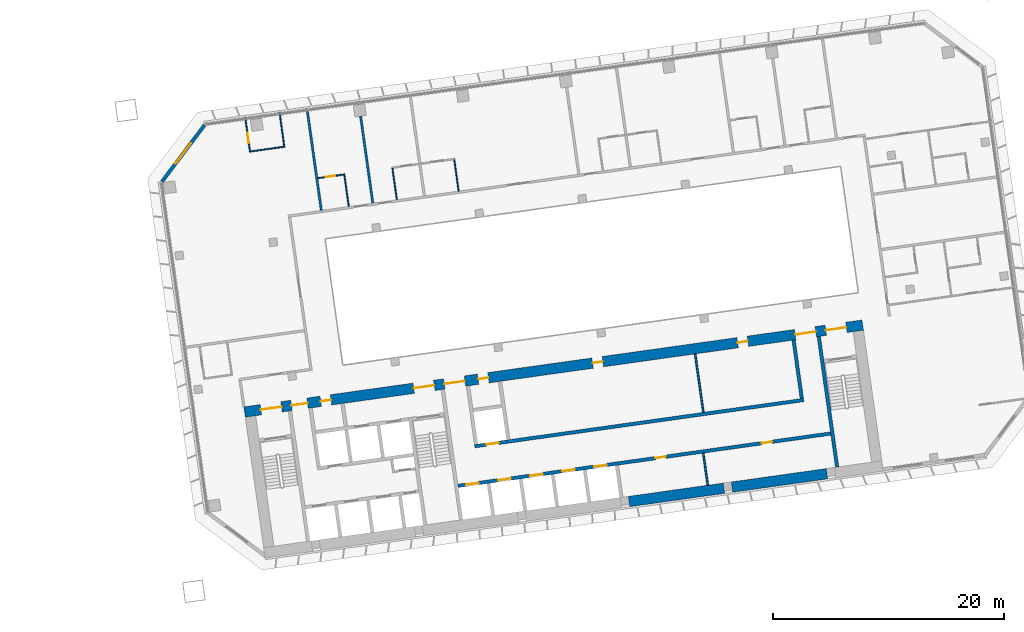
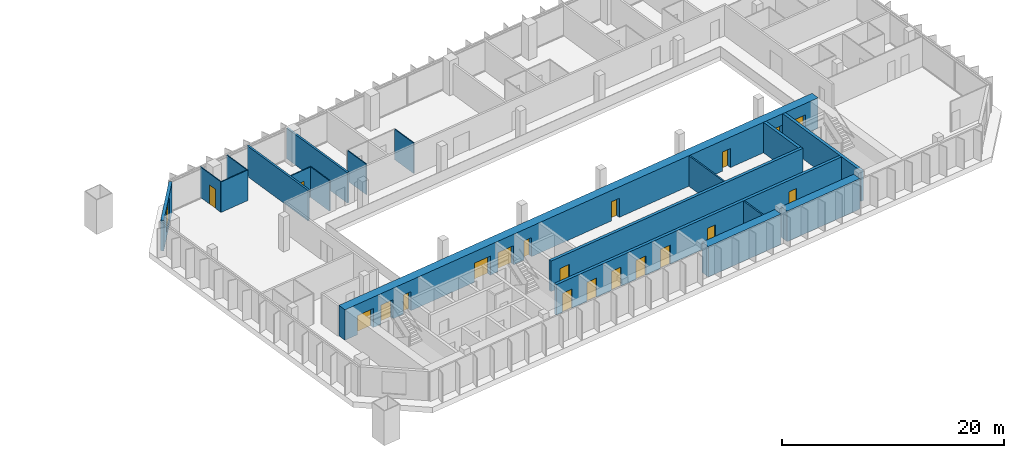
# One storey, part 19 of 24: 20 doors, 19 walls, 1 window, 21 openings.
"""IFC4 building model written with IfcOpenShell, lengths in metres."""

from ifc_helpers import new_model, si_unit, direction, frame, frame_2d, origin, place, context, subcontext, project, spatial, rectangle, extrude, material, layer, layer_set, type_object, element, fill, save


model = new_model("IFC4")

# Units and contexts
model_context = context("Model", 3, precision=1e-05, world=origin(), true_north=direction((0.0, 1.0)))
body_context = subcontext(model_context, "Body", "Model", "MODEL_VIEW")
ifc_project = project(units=[si_unit("LENGTHUNIT", "METRE"), si_unit("AREAUNIT", "SQUARE_METRE"), si_unit("VOLUMEUNIT", "CUBIC_METRE"), si_unit("PLANEANGLEUNIT", "RADIAN"), si_unit("MASSUNIT", "GRAM", prefix="KILO")], contexts=[model_context])

# Site, building, storey
site_placement = place(None, origin())
site = spatial("IfcSite", under=ifc_project, at=site_placement, CompositionType="ELEMENT")
building_placement = place(site_placement, origin())
building = spatial("IfcBuilding", under=site, at=building_placement, Name="Mirante Cascada Hotel Towers", CompositionType="ELEMENT")
storey_placement = place(building_placement, frame((0.0, 0.0, 77.5)))
storey = spatial("IfcBuildingStorey", under=building, at=storey_placement, Name="L16", CompositionType="ELEMENT", Elevation=77.5)

# Walls
ifc_material_1 = material(Name="Fire-rated plasterboard on metal studs")
ifc_layer_1 = layer(ifc_material_1, 0.2)
ifc_layer_set_1 = layer_set([ifc_layer_1], Name="Compartment wall 200 EI 120")
wall_type_1 = type_object("IfcWallType", Name="Compartment wall 200 EI 120", PredefinedType="PARTITIONING", material=ifc_layer_set_1)
for number, where, z_axis, x_axis, name in (
    (1, (40.7243, 18.6939, 0.0), (0.0, 0.0, 1.0), (0.1391794, -0.9902672, 0.0), "Wall 2-L16-26"),
    (2, (45.1805, 19.3202, 0.0), (0.0, 0.0, 1.0), (0.1391794, -0.9902672, 0.0), "Wall 2-L16-28"),
):
    element("IfcWall", number, at=place(storey_placement, frame(where, z_axis=z_axis, x_axis=x_axis)), inside=storey, type_object=wall_type_1, Name=name, PredefinedType="PARTITIONING", context=body_context, shape_type="SweptSolid", body=[
        extrude(rectangle(XDim=8.9, YDim=0.2, at=frame_2d((4.45, 0.0))), origin(), (0.0, 0.0, 1.0), 3.35),
    ])
ifc_material_2 = material(Name="Masonry block", Category="masonry")
ifc_layer_2 = layer(ifc_material_2, 0.15)
ifc_layer_set_2 = layer_set([ifc_layer_2], Name="Core room partition 150 block EI 30")
wall_type_2 = type_object("IfcWallType", Name="Core room partition 150 block EI 30", PredefinedType="PARTITIONING", material=ifc_layer_set_2)
wall_1_placement = place(storey_placement, frame((75.3976, -13.8977, 0.0), z_axis=(0.0, 0.0, 1.0), x_axis=(-0.139141, 0.9902726, 0.0)))
element("IfcWall", 3, at=wall_1_placement, inside=storey, type_object=wall_type_2, Name="Core wall partition T2 L16 4", PredefinedType="PARTITIONING", context=body_context, shape_type="SweptSolid", body=[
    extrude(rectangle(XDim=2.8, YDim=0.15, at=frame_2d((1.4, 0.0))), origin(), (0.0, 0.0, 1.0), 3.35),
])
wall_2_placement = place(storey_placement, frame((75.016, -7.5894, 0.0), z_axis=(0.0, 0.0, 1.0), x_axis=(-0.1391755, 0.9902677, 0.0)))
element("IfcWall", 4, at=wall_2_placement, inside=storey, type_object=wall_type_2, Name="Core wall partition T2 L16 5", PredefinedType="PARTITIONING", context=body_context, shape_type="SweptSolid", body=[
    extrude(rectangle(XDim=5.1, YDim=0.15, at=frame_2d((2.55, 0.0))), origin(), (0.0, 0.0, 1.0), 3.35),
])

# Wall, opening, door
ifc_material_3 = material(Name="Plasterboard on metal studs")
ifc_layer_3 = layer(ifc_material_3, 0.1)
ifc_layer_set_3 = layer_set([ifc_layer_3], Name="Partition 100")
wall_type_3 = type_object("IfcWallType", Name="Partition 100", PredefinedType="PARTITIONING", material=ifc_layer_set_3)
wall_3_placement = place(storey_placement, frame((43.9004, 12.9804, 0.0), z_axis=(0.0, 0.0, 1.0), x_axis=(-0.9902643, -0.1391997, 0.0)))
wall_3 = element("IfcWall", 5, at=wall_3_placement, inside=storey, type_object=wall_type_3, Name="Wall 2-L16-14", PredefinedType="PARTITIONING", context=body_context, shape_type="SweptSolid", body=[
    extrude(rectangle(XDim=2.25, YDim=0.1, at=frame_2d((1.125, 0.0))), origin(), (0.0, 0.0, 1.0), 3.35),
])
opening_1_placement = place(wall_3_placement, frame((0.75, 0.0, 0.0)))
opening_1 = element("IfcOpeningElement", 6, at=opening_1_placement, cuts=wall_3, Name="Opening D2-L16-15", PredefinedType="OPENING", context=body_context, shape_type="SweptSolid", body=[
    extrude(rectangle(XDim=0.8, YDim=2.1, at=frame_2d((0.4, 1.05))), frame((0.0, 0.05, 0.0), z_axis=(0.0, -1.0, 0.0), x_axis=(1.0, 0.0, 0.0)), (0.0, 0.0, 1.0), 0.1),
])
ifc_material_4 = material(Name="Timber door leaf", Category="wood")
door_type_1 = type_object("IfcDoorType", Name="Bathroom door DG4 800x2100", OperationType="SINGLE_SWING_LEFT", PredefinedType="DOOR", material=ifc_material_4)
door_1_placement = place(opening_1_placement, frame((0.8, 0.0, 0.0), z_axis=(0.0, 0.0, 1.0), x_axis=(-1.0, 0.0, 0.0)))
door_1 = element("IfcDoor", 7, at=door_1_placement, inside=storey, type_object=door_type_1, Name="Door D2-L16-15", OperationType="SINGLE_SWING_RIGHT", OverallHeight=2.1, OverallWidth=0.8, PredefinedType="DOOR", context=body_context, shape_type="SweptSolid", body=[
    extrude(rectangle(XDim=0.8, YDim=2.1, at=frame_2d((0.4, 1.05))), frame((0.0, 0.025, 0.0), z_axis=(0.0, -1.0, 0.0), x_axis=(1.0, 0.0, 0.0)), (0.0, 0.0, 1.0), 0.05),
])
fill(opening_1, door_1)

# Wall
wall_4_placement = place(storey_placement, frame((35.7449, 14.9646, 0.0), z_axis=(0.0, 0.0, 1.0), x_axis=(0.9902651, 0.1391945, 0.0)))
element("IfcWall", 8, at=wall_4_placement, inside=storey, type_object=wall_type_3, Name="Wall 2-L16-19", PredefinedType="PARTITIONING", context=body_context, shape_type="SweptSolid", body=[
    extrude(rectangle(XDim=3.1, YDim=0.1, at=frame_2d((1.55, 0.0))), origin(), (0.0, 0.0, 1.0), 3.35),
])

# Wall, opening, door
wall_5_placement = place(storey_placement, frame((35.7874, 15.0211, 0.0), z_axis=(0.0, 0.0, 1.0), x_axis=(-0.1391525, 0.990271, 0.0)))
wall_5 = element("IfcWall", 9, at=wall_5_placement, inside=storey, type_object=wall_type_3, Name="Wall 2-L16-23", PredefinedType="PARTITIONING", context=body_context, shape_type="SweptSolid", body=[
    extrude(rectangle(XDim=2.95, YDim=0.1, at=frame_2d((1.475, 0.0))), origin(), (0.0, 0.0, 1.0), 3.35),
])
opening_2_placement = place(wall_5_placement, frame((0.7, 0.0, 0.0)))
opening_2 = element("IfcOpeningElement", 10, at=opening_2_placement, cuts=wall_5, Name="Opening D2-L16-23", PredefinedType="OPENING", context=body_context, shape_type="SweptSolid", body=[
    extrude(rectangle(XDim=0.9, YDim=2.1, at=frame_2d((0.45, 1.05))), frame((0.0, 0.05, 0.0), z_axis=(0.0, -1.0, 0.0), x_axis=(1.0, 0.0, 0.0)), (0.0, 0.0, 1.0), 0.1),
])
ifc_material_5 = material(Name="Timber door leaf", Category="wood")
door_type_2 = type_object("IfcDoorType", Name="Room door DG3 900x2100", OperationType="SINGLE_SWING_LEFT", PredefinedType="DOOR", material=ifc_material_5)
door_2_placement = place(opening_2_placement, origin())
door_2 = element("IfcDoor", 11, at=door_2_placement, inside=storey, type_object=door_type_2, Name="Door D2-L16-23", OperationType="SINGLE_SWING_LEFT", OverallHeight=2.1, OverallWidth=0.9, PredefinedType="DOOR", context=body_context, shape_type="SweptSolid", body=[
    extrude(rectangle(XDim=0.9, YDim=2.1, at=frame_2d((0.45, 1.05))), frame((0.0, 0.025, 0.0), z_axis=(0.0, -1.0, 0.0), x_axis=(1.0, 0.0, 0.0)), (0.0, 0.0, 1.0), 0.05),
])
fill(opening_2, door_2)

# Walls
wall_6_placement = place(storey_placement, frame((38.7582, 15.4386, 0.0), z_axis=(0.0, 0.0, 1.0), x_axis=(-0.1391525, 0.990271, 0.0)))
element("IfcWall", 12, at=wall_6_placement, inside=storey, type_object=wall_type_3, Name="Wall 2-L16-25", PredefinedType="PARTITIONING", context=body_context, shape_type="SweptSolid", body=[
    extrude(rectangle(XDim=2.95, YDim=0.1, at=frame_2d((1.475, 0.0))), origin(), (0.0, 0.0, 1.0), 3.35),
])
wall_7_placement = place(storey_placement, frame((44.3396, 10.2146, 0.0), z_axis=(0.0, 0.0, 1.0), x_axis=(-0.1391613, 0.9902697, 0.0)))
element("IfcWall", 13, at=wall_7_placement, inside=storey, type_object=wall_type_3, Name="Wall 2-L16-27", PredefinedType="PARTITIONING", context=body_context, shape_type="SweptSolid", body=[
    extrude(rectangle(XDim=2.8499, YDim=0.1, at=frame_2d((1.425, 0.0))), origin(), (0.0, 0.0, 1.0), 3.35),
])
wall_8_placement = place(storey_placement, frame((48.4987, 10.7991, 0.0), z_axis=(0.0, 0.0, 1.0), x_axis=(-0.1391657, 0.9902691, 0.0)))
element("IfcWall", 14, at=wall_8_placement, inside=storey, type_object=wall_type_3, Name="Wall 2-L16-29", PredefinedType="PARTITIONING", context=body_context, shape_type="SweptSolid", body=[
    extrude(rectangle(XDim=2.75, YDim=0.1, at=frame_2d((1.375, 0.0))), origin(), (0.0, 0.0, 1.0), 3.35),
])
wall_9_placement = place(storey_placement, frame((53.8462, 11.5506, 0.0), z_axis=(0.0, 0.0, 1.0), x_axis=(-0.1391607, 0.9902698, 0.0)))
element("IfcWall", 15, at=wall_9_placement, inside=storey, type_object=wall_type_3, Name="Wall 2-L16-31", PredefinedType="PARTITIONING", context=body_context, shape_type="SweptSolid", body=[
    extrude(rectangle(XDim=2.7501, YDim=0.1, at=frame_2d((1.3751, 0.0))), origin(), (0.0, 0.0, 1.0), 3.35),
])

# Wall, opening, window
ifc_material_6 = material(Name="Precast concrete C40/50", Category="concrete")
ifc_layer_4 = layer(ifc_material_6, 0.3)
ifc_layer_set_4 = layer_set([ifc_layer_4], Name="Precast concrete C40/50 cladding wall 300")
wall_type_4 = type_object("IfcWallType", Name="Precast concrete C40/50 cladding wall 300", PredefinedType="STANDARD", material=ifc_layer_set_4)
wall_10_placement = place(storey_placement, frame((31.857, 17.252, 0.0), z_axis=(0.0, 0.0, 1.0), x_axis=(-0.6018141, -0.7986362, 0.0)))
wall_10 = element("IfcWall", 16, at=wall_10_placement, inside=storey, type_object=wall_type_4, Name="Corner cladding wall T2 L16 front inner", PredefinedType="STANDARD", context=body_context, shape_type="SweptSolid", body=[
    extrude(rectangle(XDim=6.1157, YDim=0.3, at=frame_2d((3.0578, 0.0))), origin(), (0.0, 0.0, 1.0), 3.35),
])
opening_3_placement = place(wall_10_placement, frame((1.9578, 0.0, 0.6)))
opening_3 = element("IfcOpeningElement", 17, at=opening_3_placement, cuts=wall_10, Name="Opening W2-16-04", PredefinedType="OPENING", context=body_context, shape_type="SweptSolid", body=[
    extrude(rectangle(XDim=2.2, YDim=2.4, at=frame_2d((1.1, 1.2))), frame((0.0, 0.15, 0.0), z_axis=(0.0, -1.0, 0.0), x_axis=(1.0, 0.0, 0.0)), (0.0, 0.0, 1.0), 0.3),
])
ifc_material_7 = material(Name="Aluminium frame with clear double glazing", Category="aluminium")
window_type = type_object("IfcWindowType", Name="Corner suite window 2200x2400", PartitioningType="DOUBLE_PANEL_VERTICAL", PredefinedType="WINDOW", material=ifc_material_7)
window_placement = place(opening_3_placement, origin())
window = element("IfcWindow", 18, at=window_placement, inside=storey, type_object=window_type, Name="Window W2-16-04", OverallHeight=2.4, OverallWidth=2.2, PartitioningType="SINGLE_PANEL", PredefinedType="WINDOW", context=body_context, shape_type="SweptSolid", body=[
    extrude(rectangle(XDim=2.2, YDim=2.4, at=frame_2d((1.1, 1.2))), frame((0.0, 0.03, 0.0), z_axis=(0.0, -1.0, 0.0), x_axis=(1.0, 0.0, 0.0)), (0.0, 0.0, 1.0), 0.06),
])
fill(opening_3, window)

# Wall
ifc_material_8 = material(Name="Concrete C50/60", Category="concrete")
ifc_layer_5 = layer(ifc_material_8, 0.3)
ifc_layer_set_5 = layer_set([ifc_layer_5], Name="RC core wall 300 C50/60")
wall_type_5 = type_object("IfcWallType", Name="RC core wall 300 C50/60", PredefinedType="SHEAR", material=ifc_layer_set_5)
wall_11_placement = place(storey_placement, frame((86.5877, -12.325, 0.0), z_axis=(0.0, 0.0, 1.0), x_axis=(-0.1391749, 0.9902678, 0.0)))
element("IfcWall", 19, at=wall_11_placement, inside=storey, type_object=wall_type_5, Name="Core wall T2:L16:8", PredefinedType="SHEAR", context=body_context, shape_type="SweptSolid", body=[
    extrude(rectangle(XDim=11.4, YDim=0.3, at=frame_2d((5.7, 0.0))), origin(), (0.0, 0.0, 1.0), 3.35),
])

# Wall, openings, doors
wall_12_placement = place(storey_placement, frame((53.7953, -13.9547, 0.0), z_axis=(0.0, 0.0, 1.0), x_axis=(0.990268, 0.1391733, 0.0)))
wall_12 = element("IfcWall", 20, at=wall_12_placement, inside=storey, type_object=wall_type_5, Name="Core wall T2:L16:24", PredefinedType="SHEAR", context=body_context, shape_type="SweptSolid", body=[
    extrude(rectangle(XDim=32.5501, YDim=0.3, at=frame_2d((16.275, 0.0))), origin(), (0.0, 0.0, 1.0), 3.35),
])
opening_4_placement = place(wall_12_placement, frame((0.7, 0.0, 0.0)))
opening_4 = element("IfcOpeningElement", 21, at=opening_4_placement, cuts=wall_12, Name="Opening LD", PredefinedType="OPENING", context=body_context, shape_type="SweptSolid", body=[
    extrude(rectangle(XDim=1.1, YDim=2.1, at=frame_2d((0.55, 1.05))), frame((0.0, 0.15, 0.0), z_axis=(0.0, -1.0, 0.0), x_axis=(1.0, 0.0, 0.0)), (0.0, 0.0, 1.0), 0.3),
])
opening_5_placement = place(wall_12_placement, frame((3.5, 0.0, 0.0)))
opening_5 = element("IfcOpeningElement", 22, at=opening_5_placement, cuts=wall_12, Name="Opening LD", PredefinedType="OPENING", context=body_context, shape_type="SweptSolid", body=[
    extrude(rectangle(XDim=1.1, YDim=2.1, at=frame_2d((0.55, 1.05))), frame((0.0, 0.15, 0.0), z_axis=(0.0, -1.0, 0.0), x_axis=(1.0, 0.0, 0.0)), (0.0, 0.0, 1.0), 0.3),
])
opening_6_placement = place(wall_12_placement, frame((6.3, 0.0, 0.0)))
opening_6 = element("IfcOpeningElement", 23, at=opening_6_placement, cuts=wall_12, Name="Opening LD", PredefinedType="OPENING", context=body_context, shape_type="SweptSolid", body=[
    extrude(rectangle(XDim=1.1, YDim=2.1, at=frame_2d((0.55, 1.05))), frame((0.0, 0.15, 0.0), z_axis=(0.0, -1.0, 0.0), x_axis=(1.0, 0.0, 0.0)), (0.0, 0.0, 1.0), 0.3),
])
opening_7_placement = place(wall_12_placement, frame((9.1, 0.0, 0.0)))
opening_7 = element("IfcOpeningElement", 24, at=opening_7_placement, cuts=wall_12, Name="Opening LD", PredefinedType="OPENING", context=body_context, shape_type="SweptSolid", body=[
    extrude(rectangle(XDim=1.1, YDim=2.1, at=frame_2d((0.55, 1.05))), frame((0.0, 0.15, 0.0), z_axis=(0.0, -1.0, 0.0), x_axis=(1.0, 0.0, 0.0)), (0.0, 0.0, 1.0), 0.3),
])
opening_8_placement = place(wall_12_placement, frame((11.9, 0.0, 0.0)))
opening_8 = element("IfcOpeningElement", 25, at=opening_8_placement, cuts=wall_12, Name="Opening LD", PredefinedType="OPENING", context=body_context, shape_type="SweptSolid", body=[
    extrude(rectangle(XDim=1.1, YDim=2.1, at=frame_2d((0.55, 1.05))), frame((0.0, 0.15, 0.0), z_axis=(0.0, -1.0, 0.0), x_axis=(1.0, 0.0, 0.0)), (0.0, 0.0, 1.0), 0.3),
])
opening_9_placement = place(wall_12_placement, frame((17.25, 0.0, 0.0)))
opening_9 = element("IfcOpeningElement", 26, at=opening_9_placement, cuts=wall_12, Name="Opening D2-16-C25", PredefinedType="OPENING", context=body_context, shape_type="SweptSolid", body=[
    extrude(rectangle(XDim=0.9, YDim=2.1, at=frame_2d((0.45, 1.05))), frame((0.0, 0.15, 0.0), z_axis=(0.0, -1.0, 0.0), x_axis=(1.0, 0.0, 0.0)), (0.0, 0.0, 1.0), 0.3),
])
opening_10_placement = place(wall_12_placement, frame((26.525, 0.0, 0.0)))
opening_10 = element("IfcOpeningElement", 27, at=opening_10_placement, cuts=wall_12, Name="Opening D2-16-C26", PredefinedType="OPENING", context=body_context, shape_type="SweptSolid", body=[
    extrude(rectangle(XDim=0.9, YDim=2.1, at=frame_2d((0.45, 1.05))), frame((0.0, 0.15, 0.0), z_axis=(0.0, -1.0, 0.0), x_axis=(1.0, 0.0, 0.0)), (0.0, 0.0, 1.0), 0.3),
])
ifc_material_9 = material(Name="Hollow metal fire door leaf")
door_type_3 = type_object("IfcDoorType", Name="Fire door 900x2100 FD60", OperationType="NOTDEFINED", PredefinedType="DOOR", material=ifc_material_9)
door_3_placement = place(opening_9_placement, frame((0.9, 0.0, 0.0), z_axis=(0.0, 0.0, 1.0), x_axis=(-1.0, 0.0, 0.0)))
door_3 = element("IfcDoor", 28, at=door_3_placement, inside=storey, type_object=door_type_3, Name="Room door T2 L16 25", OperationType="SINGLE_SWING_RIGHT", OverallHeight=2.1, OverallWidth=0.9, PredefinedType="DOOR", context=body_context, shape_type="SweptSolid", body=[
    extrude(rectangle(XDim=0.9, YDim=2.1, at=frame_2d((0.45, 1.05))), frame((0.0, 0.025, 0.0), z_axis=(0.0, -1.0, 0.0), x_axis=(1.0, 0.0, 0.0)), (0.0, 0.0, 1.0), 0.05),
])
fill(opening_9, door_3)
door_4_placement = place(opening_10_placement, frame((0.9, 0.0, 0.0), z_axis=(0.0, 0.0, 1.0), x_axis=(-1.0, 0.0, 0.0)))
door_4 = element("IfcDoor", 29, at=door_4_placement, inside=storey, type_object=door_type_3, Name="Room door T2 L16 26", OperationType="SINGLE_SWING_RIGHT", OverallHeight=2.1, OverallWidth=0.9, PredefinedType="DOOR", context=body_context, shape_type="SweptSolid", body=[
    extrude(rectangle(XDim=0.9, YDim=2.1, at=frame_2d((0.45, 1.05))), frame((0.0, 0.025, 0.0), z_axis=(0.0, -1.0, 0.0), x_axis=(1.0, 0.0, 0.0)), (0.0, 0.0, 1.0), 0.05),
])
fill(opening_10, door_4)
ifc_material_10 = material(Name="Stainless steel", Category="steel")
door_type_4 = type_object("IfcDoorType", Name="Lift landing door 1100x2100 EI 120", OperationType="DOUBLE_DOOR_SLIDING", PredefinedType="DOOR", material=ifc_material_10)
door_5_placement = place(opening_4_placement, origin())
door_5 = element("IfcDoor", 30, at=door_5_placement, inside=storey, type_object=door_type_4, Name="Lift landing door LR2-1 L16", OperationType="DOUBLE_DOOR_SLIDING", OverallHeight=2.1, OverallWidth=1.1, PredefinedType="DOOR", context=body_context, shape_type="SweptSolid", body=[
    extrude(rectangle(XDim=0.545, YDim=2.1, at=frame_2d((0.2725, 1.05))), frame((0.0, 0.025, 0.0), z_axis=(0.0, -1.0, 0.0), x_axis=(1.0, 0.0, 0.0)), (0.0, 0.0, 1.0), 0.05),
    extrude(rectangle(XDim=0.545, YDim=2.1, at=frame_2d((0.8275, 1.05))), frame((0.0, 0.025, 0.0), z_axis=(0.0, -1.0, 0.0), x_axis=(1.0, 0.0, 0.0)), (0.0, 0.0, 1.0), 0.05),
])
fill(opening_4, door_5)
door_6_placement = place(opening_5_placement, origin())
door_6 = element("IfcDoor", 31, at=door_6_placement, inside=storey, type_object=door_type_4, Name="Lift landing door LR2-2 L16", OperationType="DOUBLE_DOOR_SLIDING", OverallHeight=2.1, OverallWidth=1.1, PredefinedType="DOOR", context=body_context, shape_type="SweptSolid", body=[
    extrude(rectangle(XDim=0.545, YDim=2.1, at=frame_2d((0.2725, 1.05))), frame((0.0, 0.025, 0.0), z_axis=(0.0, -1.0, 0.0), x_axis=(1.0, 0.0, 0.0)), (0.0, 0.0, 1.0), 0.05),
    extrude(rectangle(XDim=0.545, YDim=2.1, at=frame_2d((0.8275, 1.05))), frame((0.0, 0.025, 0.0), z_axis=(0.0, -1.0, 0.0), x_axis=(1.0, 0.0, 0.0)), (0.0, 0.0, 1.0), 0.05),
])
fill(opening_5, door_6)
door_7_placement = place(opening_6_placement, origin())
door_7 = element("IfcDoor", 32, at=door_7_placement, inside=storey, type_object=door_type_4, Name="Lift landing door SV2-1 L16", OperationType="DOUBLE_DOOR_SLIDING", OverallHeight=2.1, OverallWidth=1.1, PredefinedType="DOOR", context=body_context, shape_type="SweptSolid", body=[
    extrude(rectangle(XDim=0.545, YDim=2.1, at=frame_2d((0.2725, 1.05))), frame((0.0, 0.025, 0.0), z_axis=(0.0, -1.0, 0.0), x_axis=(1.0, 0.0, 0.0)), (0.0, 0.0, 1.0), 0.05),
    extrude(rectangle(XDim=0.545, YDim=2.1, at=frame_2d((0.8275, 1.05))), frame((0.0, 0.025, 0.0), z_axis=(0.0, -1.0, 0.0), x_axis=(1.0, 0.0, 0.0)), (0.0, 0.0, 1.0), 0.05),
])
fill(opening_6, door_7)
door_8_placement = place(opening_7_placement, origin())
door_8 = element("IfcDoor", 33, at=door_8_placement, inside=storey, type_object=door_type_4, Name="Lift landing door SV2-2 L16", OperationType="DOUBLE_DOOR_SLIDING", OverallHeight=2.1, OverallWidth=1.1, PredefinedType="DOOR", context=body_context, shape_type="SweptSolid", body=[
    extrude(rectangle(XDim=0.545, YDim=2.1, at=frame_2d((0.2725, 1.05))), frame((0.0, 0.025, 0.0), z_axis=(0.0, -1.0, 0.0), x_axis=(1.0, 0.0, 0.0)), (0.0, 0.0, 1.0), 0.05),
    extrude(rectangle(XDim=0.545, YDim=2.1, at=frame_2d((0.8275, 1.05))), frame((0.0, 0.025, 0.0), z_axis=(0.0, -1.0, 0.0), x_axis=(1.0, 0.0, 0.0)), (0.0, 0.0, 1.0), 0.05),
])
fill(opening_7, door_8)
door_9_placement = place(opening_8_placement, origin())
door_9 = element("IfcDoor", 34, at=door_9_placement, inside=storey, type_object=door_type_4, Name="Lift landing door SV2-3 L16", OperationType="DOUBLE_DOOR_SLIDING", OverallHeight=2.1, OverallWidth=1.1, PredefinedType="DOOR", context=body_context, shape_type="SweptSolid", body=[
    extrude(rectangle(XDim=0.545, YDim=2.1, at=frame_2d((0.2725, 1.05))), frame((0.0, 0.025, 0.0), z_axis=(0.0, -1.0, 0.0), x_axis=(1.0, 0.0, 0.0)), (0.0, 0.0, 1.0), 0.05),
    extrude(rectangle(XDim=0.545, YDim=2.1, at=frame_2d((0.8275, 1.05))), frame((0.0, 0.025, 0.0), z_axis=(0.0, -1.0, 0.0), x_axis=(1.0, 0.0, 0.0)), (0.0, 0.0, 1.0), 0.05),
])
fill(opening_8, door_9)

# Wall, opening, door
wall_13_placement = place(storey_placement, frame((55.2315, -10.5214, 0.0), z_axis=(0.0, 0.0, 1.0), x_axis=(0.9902682, 0.1391722, 0.0)))
wall_13 = element("IfcWall", 35, at=wall_13_placement, inside=storey, type_object=wall_type_5, Name="Core wall T2:L16:31", PredefinedType="SHEAR", context=body_context, shape_type="SweptSolid", body=[
    extrude(rectangle(XDim=28.75, YDim=0.3, at=frame_2d((14.375, 0.0))), origin(), (0.0, 0.0, 1.0), 3.35),
])
opening_11_placement = place(wall_13_placement, frame((1.0, 0.0, 0.0)))
opening_11 = element("IfcOpeningElement", 36, at=opening_11_placement, cuts=wall_13, Name="Opening LD", PredefinedType="OPENING", context=body_context, shape_type="SweptSolid", body=[
    extrude(rectangle(XDim=1.1, YDim=2.1, at=frame_2d((0.55, 1.05))), frame((0.0, 0.15, 0.0), z_axis=(0.0, -1.0, 0.0), x_axis=(1.0, 0.0, 0.0)), (0.0, 0.0, 1.0), 0.3),
])
door_10_placement = place(opening_11_placement, origin())
door_10 = element("IfcDoor", 37, at=door_10_placement, inside=storey, type_object=door_type_4, Name="Lift landing door LR2-3 L16", OperationType="DOUBLE_DOOR_SLIDING", OverallHeight=2.1, OverallWidth=1.1, PredefinedType="DOOR", context=body_context, shape_type="SweptSolid", body=[
    extrude(rectangle(XDim=0.545, YDim=2.1, at=frame_2d((0.2725, 1.05))), frame((0.0, 0.025, 0.0), z_axis=(0.0, -1.0, 0.0), x_axis=(1.0, 0.0, 0.0)), (0.0, 0.0, 1.0), 0.05),
    extrude(rectangle(XDim=0.545, YDim=2.1, at=frame_2d((0.8275, 1.05))), frame((0.0, 0.025, 0.0), z_axis=(0.0, -1.0, 0.0), x_axis=(1.0, 0.0, 0.0)), (0.0, 0.0, 1.0), 0.05),
])
fill(opening_11, door_10)

# Walls
wall_14_placement = place(storey_placement, frame((83.5323, -6.3925, 0.0), z_axis=(0.0, 0.0, 1.0), x_axis=(-0.1391755, 0.9902677, 0.0)))
element("IfcWall", 38, at=wall_14_placement, inside=storey, type_object=wall_type_5, Name="Core wall T2:L16:33", PredefinedType="SHEAR", context=body_context, shape_type="SweptSolid", body=[
    extrude(rectangle(XDim=5.1, YDim=0.3, at=frame_2d((2.55, 0.0))), origin(), (0.0, 0.0, 1.0), 3.35),
])
ifc_material_11 = material(Name="Concrete C50/60", Category="concrete")
ifc_layer_6 = layer(ifc_material_11, 0.9)
ifc_layer_set_6 = layer_set([ifc_layer_6], Name="RC core wall 900 C50/60")
wall_type_6 = type_object("IfcWallType", Name="RC core wall 900 C50/60", PredefinedType="SHEAR", material=ifc_layer_set_6)
for number, where, z_axis, x_axis, name in (
    (39, (68.5779, -15.3105, 0.0), (0.0, 0.0, 1.0), (0.9902686, 0.1391692, 0.0), "Core wall T2:L16:1.5"),
    (40, (77.4903, -14.058, 0.0), (0.0, 0.0, 1.0), (0.990267, 0.139181, 0.0), "Core wall T2:L16:1.6"),
):
    element("IfcWall", number, at=place(storey_placement, frame(where, z_axis=z_axis, x_axis=x_axis)), inside=storey, type_object=wall_type_6, Name=name, PredefinedType="SHEAR", context=body_context, shape_type="SweptSolid", body=[
        extrude(rectangle(XDim=8.3, YDim=0.9, at=frame_2d((4.15, 0.0))), origin(), (0.0, 0.0, 1.0), 3.35),
    ])

# Wall, openings, doors
wall_15_placement = place(storey_placement, frame((35.326, -7.5629, 0.0), z_axis=(0.0, 0.0, 1.0), x_axis=(0.9902679, 0.139174, 0.0)))
wall_15 = element("IfcWall", 41, at=wall_15_placement, inside=storey, type_object=wall_type_6, Name="Core wall T2:L16:2", PredefinedType="SHEAR", context=body_context, shape_type="SweptSolid", body=[
    extrude(rectangle(XDim=54.0, YDim=0.9, at=frame_2d((27.0, 0.0))), origin(), (0.0, 0.0, 1.0), 3.35),
])
opening_12_placement = place(wall_15_placement, frame((1.425, 0.0, 0.0)))
opening_12 = element("IfcOpeningElement", 42, at=opening_12_placement, cuts=wall_15, Name="Opening D2-16-C14", PredefinedType="OPENING", context=body_context, shape_type="SweptSolid", body=[
    extrude(rectangle(XDim=1.8, YDim=2.1, at=frame_2d((0.9, 1.05))), frame((0.0, 0.45, 0.0), z_axis=(0.0, -1.0, 0.0), x_axis=(1.0, 0.0, 0.0)), (0.0, 0.0, 1.0), 0.9),
])
opening_13_placement = place(wall_15_placement, frame((14.775, 0.0, 0.0)))
opening_13 = element("IfcOpeningElement", 43, at=opening_13_placement, cuts=wall_15, Name="Opening D2-16-C16", PredefinedType="OPENING", context=body_context, shape_type="SweptSolid", body=[
    extrude(rectangle(XDim=1.8, YDim=2.1, at=frame_2d((0.9, 1.05))), frame((0.0, 0.45, 0.0), z_axis=(0.0, -1.0, 0.0), x_axis=(1.0, 0.0, 0.0)), (0.0, 0.0, 1.0), 0.9),
])
opening_14_placement = place(wall_15_placement, frame((50.775, 0.0, 0.0)))
opening_14 = element("IfcOpeningElement", 44, at=opening_14_placement, cuts=wall_15, Name="Opening D2-16-C18", PredefinedType="OPENING", context=body_context, shape_type="SweptSolid", body=[
    extrude(rectangle(XDim=1.8, YDim=2.1, at=frame_2d((0.9, 1.05))), frame((0.0, 0.45, 0.0), z_axis=(0.0, -1.0, 0.0), x_axis=(1.0, 0.0, 0.0)), (0.0, 0.0, 1.0), 0.9),
])
opening_15_placement = place(wall_15_placement, frame((4.1, 0.0, 0.0)))
opening_15 = element("IfcOpeningElement", 45, at=opening_15_placement, cuts=wall_15, Name="Opening D2-16-C19", PredefinedType="OPENING", context=body_context, shape_type="SweptSolid", body=[
    extrude(rectangle(XDim=1.4, YDim=2.1, at=frame_2d((0.7, 1.05))), frame((0.0, 0.45, 0.0), z_axis=(0.0, -1.0, 0.0), x_axis=(1.0, 0.0, 0.0)), (0.0, 0.0, 1.0), 0.9),
])
opening_16_placement = place(wall_15_placement, frame((17.45, 0.0, 0.0)))
opening_16 = element("IfcOpeningElement", 46, at=opening_16_placement, cuts=wall_15, Name="Opening D2-16-C20", PredefinedType="OPENING", context=body_context, shape_type="SweptSolid", body=[
    extrude(rectangle(XDim=1.8, YDim=2.1, at=frame_2d((0.9, 1.05))), frame((0.0, 0.45, 0.0), z_axis=(0.0, -1.0, 0.0), x_axis=(1.0, 0.0, 0.0)), (0.0, 0.0, 1.0), 0.9),
])
opening_17_placement = place(wall_15_placement, frame((48.1, 0.0, 0.0)))
opening_17 = element("IfcOpeningElement", 47, at=opening_17_placement, cuts=wall_15, Name="Opening D2-16-C21", PredefinedType="OPENING", context=body_context, shape_type="SweptSolid", body=[
    extrude(rectangle(XDim=1.8, YDim=2.1, at=frame_2d((0.9, 1.05))), frame((0.0, 0.45, 0.0), z_axis=(0.0, -1.0, 0.0), x_axis=(1.0, 0.0, 0.0)), (0.0, 0.0, 1.0), 0.9),
])
opening_18_placement = place(wall_15_placement, frame((6.65, 0.0, 0.0)))
opening_18 = element("IfcOpeningElement", 48, at=opening_18_placement, cuts=wall_15, Name="Opening D2-16-C24", PredefinedType="OPENING", context=body_context, shape_type="SweptSolid", body=[
    extrude(rectangle(XDim=0.9, YDim=2.1, at=frame_2d((0.45, 1.05))), frame((0.0, 0.45, 0.0), z_axis=(0.0, -1.0, 0.0), x_axis=(1.0, 0.0, 0.0)), (0.0, 0.0, 1.0), 0.9),
])
opening_19_placement = place(wall_15_placement, frame((20.4, 0.0, 0.0)))
opening_19 = element("IfcOpeningElement", 49, at=opening_19_placement, cuts=wall_15, Name="Opening D2-16-C27", PredefinedType="OPENING", context=body_context, shape_type="SweptSolid", body=[
    extrude(rectangle(XDim=0.9, YDim=2.1, at=frame_2d((0.45, 1.05))), frame((0.0, 0.45, 0.0), z_axis=(0.0, -1.0, 0.0), x_axis=(1.0, 0.0, 0.0)), (0.0, 0.0, 1.0), 0.9),
])
opening_20_placement = place(wall_15_placement, frame((30.4, 0.0, 0.0)))
opening_20 = element("IfcOpeningElement", 50, at=opening_20_placement, cuts=wall_15, Name="Opening D2-16-C28", PredefinedType="OPENING", context=body_context, shape_type="SweptSolid", body=[
    extrude(rectangle(XDim=0.9, YDim=2.1, at=frame_2d((0.45, 1.05))), frame((0.0, 0.45, 0.0), z_axis=(0.0, -1.0, 0.0), x_axis=(1.0, 0.0, 0.0)), (0.0, 0.0, 1.0), 0.9),
])
opening_21_placement = place(wall_15_placement, frame((43.075, 0.0, 0.0)))
opening_21 = element("IfcOpeningElement", 51, at=opening_21_placement, cuts=wall_15, Name="Opening D2-16-C29", PredefinedType="OPENING", context=body_context, shape_type="SweptSolid", body=[
    extrude(rectangle(XDim=0.9, YDim=2.1, at=frame_2d((0.45, 1.05))), frame((0.0, 0.45, 0.0), z_axis=(0.0, -1.0, 0.0), x_axis=(1.0, 0.0, 0.0)), (0.0, 0.0, 1.0), 0.9),
])
ifc_material_12 = material(Name="Hollow metal fire door leaf")
door_type_5 = type_object("IfcDoorType", Name="Double fire door 1400x2100 FD60", OperationType="DOUBLE_DOOR_SINGLE_SWING", PredefinedType="DOOR", material=ifc_material_12)
door_11_placement = place(opening_15_placement, origin())
door_11 = element("IfcDoor", 52, at=door_11_placement, inside=storey, type_object=door_type_5, Name="Exit door to gallery T2 L16 19", OperationType="DOUBLE_DOOR_SINGLE_SWING", OverallHeight=2.1, OverallWidth=1.4, PredefinedType="DOOR", context=body_context, shape_type="SweptSolid", body=[
    extrude(rectangle(XDim=0.695, YDim=2.1, at=frame_2d((0.3475, 1.05))), frame((0.0, 0.025, 0.0), z_axis=(0.0, -1.0, 0.0), x_axis=(1.0, 0.0, 0.0)), (0.0, 0.0, 1.0), 0.05),
    extrude(rectangle(XDim=0.695, YDim=2.1, at=frame_2d((1.0525, 1.05))), frame((0.0, 0.025, 0.0), z_axis=(0.0, -1.0, 0.0), x_axis=(1.0, 0.0, 0.0)), (0.0, 0.0, 1.0), 0.05),
])
fill(opening_15, door_11)
ifc_material_13 = material(Name="Hollow metal fire door leaf")
door_type_6 = type_object("IfcDoorType", Name="Double fire door 1800x2100 FD60", OperationType="DOUBLE_DOOR_SINGLE_SWING", PredefinedType="DOOR", material=ifc_material_13)
door_12_placement = place(opening_12_placement, frame((1.8, 0.0, 0.0), z_axis=(0.0, 0.0, 1.0), x_axis=(-1.0, 0.0, 0.0)))
door_12 = element("IfcDoor", 53, at=door_12_placement, inside=storey, type_object=door_type_6, Name="Exit door to gallery T2 L16 14", OperationType="DOUBLE_DOOR_SINGLE_SWING", OverallHeight=2.1, OverallWidth=1.8, PredefinedType="DOOR", context=body_context, shape_type="SweptSolid", body=[
    extrude(rectangle(XDim=0.895, YDim=2.1, at=frame_2d((0.4475, 1.05))), frame((0.0, 0.025, 0.0), z_axis=(0.0, -1.0, 0.0), x_axis=(1.0, 0.0, 0.0)), (0.0, 0.0, 1.0), 0.05),
    extrude(rectangle(XDim=0.895, YDim=2.1, at=frame_2d((1.3525, 1.05))), frame((0.0, 0.025, 0.0), z_axis=(0.0, -1.0, 0.0), x_axis=(1.0, 0.0, 0.0)), (0.0, 0.0, 1.0), 0.05),
])
fill(opening_12, door_12)
door_13_placement = place(opening_13_placement, frame((1.8, 0.0, 0.0), z_axis=(0.0, 0.0, 1.0), x_axis=(-1.0, 0.0, 0.0)))
door_13 = element("IfcDoor", 54, at=door_13_placement, inside=storey, type_object=door_type_6, Name="Exit door to gallery T2 L16 16", OperationType="DOUBLE_DOOR_SINGLE_SWING", OverallHeight=2.1, OverallWidth=1.8, PredefinedType="DOOR", context=body_context, shape_type="SweptSolid", body=[
    extrude(rectangle(XDim=0.895, YDim=2.1, at=frame_2d((0.4475, 1.05))), frame((0.0, 0.025, 0.0), z_axis=(0.0, -1.0, 0.0), x_axis=(1.0, 0.0, 0.0)), (0.0, 0.0, 1.0), 0.05),
    extrude(rectangle(XDim=0.895, YDim=2.1, at=frame_2d((1.3525, 1.05))), frame((0.0, 0.025, 0.0), z_axis=(0.0, -1.0, 0.0), x_axis=(1.0, 0.0, 0.0)), (0.0, 0.0, 1.0), 0.05),
])
fill(opening_13, door_13)
door_14_placement = place(opening_14_placement, frame((1.8, 0.0, 0.0), z_axis=(0.0, 0.0, 1.0), x_axis=(-1.0, 0.0, 0.0)))
door_14 = element("IfcDoor", 55, at=door_14_placement, inside=storey, type_object=door_type_6, Name="Exit door to gallery T2 L16 18", OperationType="DOUBLE_DOOR_SINGLE_SWING", OverallHeight=2.1, OverallWidth=1.8, PredefinedType="DOOR", context=body_context, shape_type="SweptSolid", body=[
    extrude(rectangle(XDim=0.895, YDim=2.1, at=frame_2d((0.4475, 1.05))), frame((0.0, 0.025, 0.0), z_axis=(0.0, -1.0, 0.0), x_axis=(1.0, 0.0, 0.0)), (0.0, 0.0, 1.0), 0.05),
    extrude(rectangle(XDim=0.895, YDim=2.1, at=frame_2d((1.3525, 1.05))), frame((0.0, 0.025, 0.0), z_axis=(0.0, -1.0, 0.0), x_axis=(1.0, 0.0, 0.0)), (0.0, 0.0, 1.0), 0.05),
])
fill(opening_14, door_14)
door_15_placement = place(opening_16_placement, origin())
door_15 = element("IfcDoor", 56, at=door_15_placement, inside=storey, type_object=door_type_6, Name="Exit door to gallery T2 L16 20", OperationType="DOUBLE_DOOR_SINGLE_SWING", OverallHeight=2.1, OverallWidth=1.8, PredefinedType="DOOR", context=body_context, shape_type="SweptSolid", body=[
    extrude(rectangle(XDim=0.895, YDim=2.1, at=frame_2d((0.4475, 1.05))), frame((0.0, 0.025, 0.0), z_axis=(0.0, -1.0, 0.0), x_axis=(1.0, 0.0, 0.0)), (0.0, 0.0, 1.0), 0.05),
    extrude(rectangle(XDim=0.895, YDim=2.1, at=frame_2d((1.3525, 1.05))), frame((0.0, 0.025, 0.0), z_axis=(0.0, -1.0, 0.0), x_axis=(1.0, 0.0, 0.0)), (0.0, 0.0, 1.0), 0.05),
])
fill(opening_16, door_15)
door_16_placement = place(opening_17_placement, origin())
door_16 = element("IfcDoor", 57, at=door_16_placement, inside=storey, type_object=door_type_6, Name="Exit door to gallery T2 L16 21", OperationType="DOUBLE_DOOR_SINGLE_SWING", OverallHeight=2.1, OverallWidth=1.8, PredefinedType="DOOR", context=body_context, shape_type="SweptSolid", body=[
    extrude(rectangle(XDim=0.895, YDim=2.1, at=frame_2d((0.4475, 1.05))), frame((0.0, 0.025, 0.0), z_axis=(0.0, -1.0, 0.0), x_axis=(1.0, 0.0, 0.0)), (0.0, 0.0, 1.0), 0.05),
    extrude(rectangle(XDim=0.895, YDim=2.1, at=frame_2d((1.3525, 1.05))), frame((0.0, 0.025, 0.0), z_axis=(0.0, -1.0, 0.0), x_axis=(1.0, 0.0, 0.0)), (0.0, 0.0, 1.0), 0.05),
])
fill(opening_17, door_16)
door_17_placement = place(opening_18_placement, frame((0.9, 0.0, 0.0), z_axis=(0.0, 0.0, 1.0), x_axis=(-1.0, 0.0, 0.0)))
door_17 = element("IfcDoor", 58, at=door_17_placement, inside=storey, type_object=door_type_3, Name="Room door T2 L16 24", OperationType="SINGLE_SWING_LEFT", OverallHeight=2.1, OverallWidth=0.9, PredefinedType="DOOR", context=body_context, shape_type="SweptSolid", body=[
    extrude(rectangle(XDim=0.9, YDim=2.1, at=frame_2d((0.45, 1.05))), frame((0.0, 0.025, 0.0), z_axis=(0.0, -1.0, 0.0), x_axis=(1.0, 0.0, 0.0)), (0.0, 0.0, 1.0), 0.05),
])
fill(opening_18, door_17)
door_18_placement = place(opening_19_placement, frame((0.9, 0.0, 0.0), z_axis=(0.0, 0.0, 1.0), x_axis=(-1.0, 0.0, 0.0)))
door_18 = element("IfcDoor", 59, at=door_18_placement, inside=storey, type_object=door_type_3, Name="Room door T2 L16 27", OperationType="SINGLE_SWING_LEFT", OverallHeight=2.1, OverallWidth=0.9, PredefinedType="DOOR", context=body_context, shape_type="SweptSolid", body=[
    extrude(rectangle(XDim=0.9, YDim=2.1, at=frame_2d((0.45, 1.05))), frame((0.0, 0.025, 0.0), z_axis=(0.0, -1.0, 0.0), x_axis=(1.0, 0.0, 0.0)), (0.0, 0.0, 1.0), 0.05),
])
fill(opening_19, door_18)
door_19_placement = place(opening_20_placement, frame((0.9, 0.0, 0.0), z_axis=(0.0, 0.0, 1.0), x_axis=(-1.0, 0.0, 0.0)))
door_19 = element("IfcDoor", 60, at=door_19_placement, inside=storey, type_object=door_type_3, Name="Room door T2 L16 28", OperationType="SINGLE_SWING_RIGHT", OverallHeight=2.1, OverallWidth=0.9, PredefinedType="DOOR", context=body_context, shape_type="SweptSolid", body=[
    extrude(rectangle(XDim=0.9, YDim=2.1, at=frame_2d((0.45, 1.05))), frame((0.0, 0.025, 0.0), z_axis=(0.0, -1.0, 0.0), x_axis=(1.0, 0.0, 0.0)), (0.0, 0.0, 1.0), 0.05),
])
fill(opening_20, door_19)
door_20_placement = place(opening_21_placement, frame((0.9, 0.0, 0.0), z_axis=(0.0, 0.0, 1.0), x_axis=(-1.0, 0.0, 0.0)))
door_20 = element("IfcDoor", 61, at=door_20_placement, inside=storey, type_object=door_type_3, Name="Room door T2 L16 29", OperationType="SINGLE_SWING_RIGHT", OverallHeight=2.1, OverallWidth=0.9, PredefinedType="DOOR", context=body_context, shape_type="SweptSolid", body=[
    extrude(rectangle(XDim=0.9, YDim=2.1, at=frame_2d((0.45, 1.05))), frame((0.0, 0.025, 0.0), z_axis=(0.0, -1.0, 0.0), x_axis=(1.0, 0.0, 0.0)), (0.0, 0.0, 1.0), 0.05),
])
fill(opening_21, door_20)

save(model, "model.ifc")
